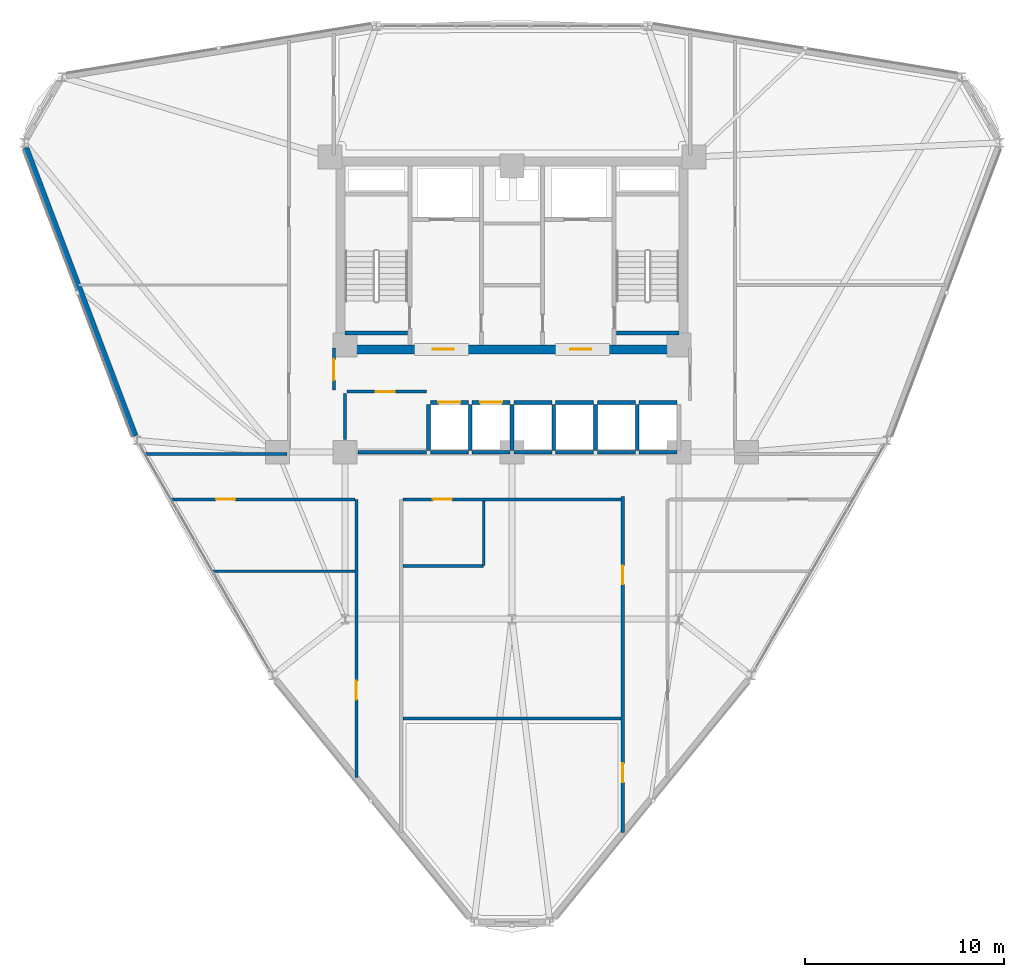
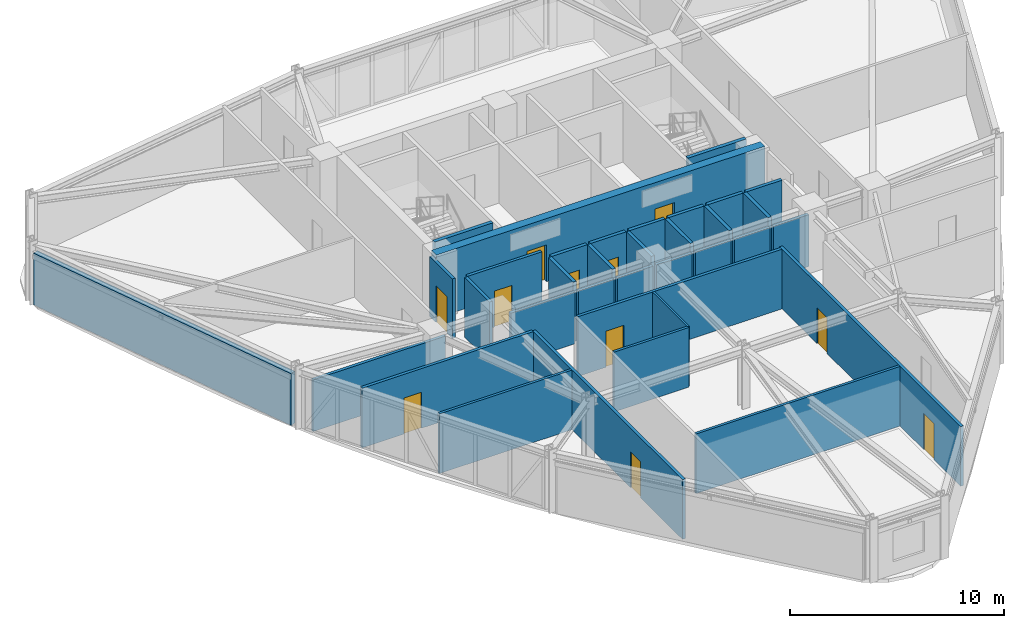
# One storey, part 10 of 17: 35 walls, 11 doors, 11 openings.
"""IFC4 building model written with IfcOpenShell, lengths in metres."""

from ifc_helpers import new_model, si_unit, derived_unit, direction, frame, frame_2d, origin, place, context, subcontext, project, spatial, rectangle, extrude, material, layer, layer_set, type_object, element, fill, save


model = new_model("IFC4")

# Units and contexts
model_context = context("Model", 3, precision=1e-05, world=origin(), true_north=direction((0.0, 1.0)))
body_context = subcontext(model_context, "Body", "Model", "MODEL_VIEW")
ifc_project = project(units=[si_unit("LENGTHUNIT", "METRE"), si_unit("AREAUNIT", "SQUARE_METRE"), si_unit("VOLUMEUNIT", "CUBIC_METRE"), si_unit("PLANEANGLEUNIT", "RADIAN"), si_unit("MASSUNIT", "GRAM", prefix="KILO"), derived_unit("THERMALTRANSMITTANCEUNIT", [(si_unit("POWERUNIT", "WATT"), 1), (si_unit("LENGTHUNIT", "METRE"), -2), (si_unit("THERMODYNAMICTEMPERATUREUNIT", "KELVIN"), -1)])], contexts=[model_context])

# Site, building, storey
site_placement = place(None, origin())
site = spatial("IfcSite", under=ifc_project, at=site_placement, CompositionType="ELEMENT")
building_placement = place(site_placement, origin())
building = spatial("IfcBuilding", under=site, at=building_placement, Name="Korsvarv Bourse and Concert Hall", CompositionType="ELEMENT")
storey_placement = place(building_placement, frame((0.0, 0.0, 124.199951171875)))
storey = spatial("IfcBuildingStorey", under=building, at=storey_placement, Name="L31", CompositionType="ELEMENT", Elevation=124.199951171875)

# Walls
ifc_material_1 = material(Name="Concrete C50/60", Category="concrete")
ifc_layer_1 = layer(ifc_material_1, 0.3798828125)
ifc_layer_set_1 = layer_set([ifc_layer_1], Name="Concrete C50/60")
wall_type_1 = type_object("IfcWallType", Name="WL-CORE-380", PredefinedType="SHEAR", material=ifc_layer_set_1)
for number, where, z_axis, x_axis, name in (
    (1, (27.610107421875, 38.39990234375, 0.0), (0.0, 0.0, 1.0), (1.0, 0.0, 0.0), "L31 stair shaft structural wall W-L31-ST1-S"),
    (2, (41.25, 38.39990234375, 0.0), (0.0, 0.0, 1.0), (1.0, 0.0, 0.0), "L31 stair shaft structural wall W-L31-ST2-S"),
):
    element("IfcWall", number, at=place(storey_placement, frame(where, z_axis=z_axis, x_axis=x_axis)), inside=storey, type_object=wall_type_1, Name=name, PredefinedType="SHEAR", context=body_context, shape_type="SweptSolid", body=[
        extrude(rectangle(XDim=3.139892578125, YDim=0.199951171875, at=frame_2d((1.56982421875, 0.0))), origin(), (0.0, 0.0, 1.0), 3.60009765625),
    ])

# Wall, openings, doors
ifc_material_2 = material(Name="Concrete C55/67", Category="concrete")
ifc_layer_2 = layer(ifc_material_2, 0.449951171875)
ifc_layer_set_2 = layer_set([ifc_layer_2], Name="Concrete C55/67")
wall_type_2 = type_object("IfcWallType", Name="WL-CORE-450", PredefinedType="SHEAR", material=ifc_layer_set_2)
wall_1_placement = place(storey_placement, frame((27.14990234375, 37.574951171875, 0.0), z_axis=(0.0, 0.0, 1.0), x_axis=(1.0, 0.0, 0.0)))
wall_1 = element("IfcWall", 3, at=wall_1_placement, inside=storey, type_object=wall_type_2, Name="L31 South Core Shear Wall", PredefinedType="SHEAR", context=body_context, shape_type="SweptSolid", body=[
    extrude(rectangle(XDim=17.7001953125, YDim=0.449951171875, at=frame_2d((8.85009765625, 0.0))), origin(), (0.0, 0.0, 1.0), 3.60009765625),
])
opening_1_placement = place(wall_1_placement, frame((4.875, 0.0, 0.0)))
opening_1 = element("IfcOpeningElement", 4, at=opening_1_placement, cuts=wall_1, Name="Opening D-01", PredefinedType="OPENING", context=body_context, shape_type="SweptSolid", body=[
    extrude(rectangle(XDim=1.050048828125, YDim=2.10009765625, at=frame_2d((0.52490234375, 1.050048828125))), frame((0.0, 0.23486328125, 0.0), z_axis=(0.0, -1.0, 0.0), x_axis=(1.0, 0.0, 0.0)), (0.0, 0.0, 1.0), 0.469970703125),
])
opening_2_placement = place(wall_1_placement, frame((11.77490234375, 0.0, 0.0)))
opening_2 = element("IfcOpeningElement", 5, at=opening_2_placement, cuts=wall_1, Name="Opening D-01", PredefinedType="OPENING", context=body_context, shape_type="SweptSolid", body=[
    extrude(rectangle(XDim=1.050048828125, YDim=2.10009765625, at=frame_2d((0.52490234375, 1.050048828125))), frame((0.0, 0.23486328125, 0.0), z_axis=(0.0, -1.0, 0.0), x_axis=(1.0, 0.0, 0.0)), (0.0, 0.0, 1.0), 0.469970703125),
])
ifc_material_3 = material(Name="Steel S355 fire door", Category="steel")
door_type_1 = type_object("IfcDoorType", Name="DR-FD60", OperationType="NOTDEFINED", PredefinedType="DOOR", material=ifc_material_3)
door_1_placement = place(opening_1_placement, frame((1.050048828125, 0.0, 0.0), z_axis=(0.0, 0.0, 1.0), x_axis=(-1.0, 0.0, 0.0)))
door_1 = element("IfcDoor", 6, at=door_1_placement, inside=storey, type_object=door_type_1, Name="L31 firefighting lobby fire door DR-L31-FFLW", OperationType="SINGLE_SWING_RIGHT", OverallHeight=2.10009765625, OverallWidth=1.050048828125, PredefinedType="DOOR", context=body_context, shape_type="SweptSolid", body=[
    extrude(rectangle(XDim=1.050048828125, YDim=2.10009765625, at=frame_2d((0.52490234375, 1.050048828125))), frame((0.0, 0.02490234375, 0.0), z_axis=(0.0, -1.0, 0.0), x_axis=(1.0, 0.0, 0.0)), (0.0, 0.0, 1.0), 0.050048828125),
])
fill(opening_1, door_1)
door_2_placement = place(opening_2_placement, frame((1.050048828125, 0.0, 0.0), z_axis=(0.0, 0.0, 1.0), x_axis=(-1.0, 0.0, 0.0)))
door_2 = element("IfcDoor", 7, at=door_2_placement, inside=storey, type_object=door_type_1, Name="L31 firefighting lobby fire door DR-L31-FFLE", OperationType="SINGLE_SWING_LEFT", OverallHeight=2.10009765625, OverallWidth=1.050048828125, PredefinedType="DOOR", context=body_context, shape_type="SweptSolid", body=[
    extrude(rectangle(XDim=1.050048828125, YDim=2.10009765625, at=frame_2d((0.52490234375, 1.050048828125))), frame((0.0, 0.02490234375, 0.0), z_axis=(0.0, -1.0, 0.0), x_axis=(1.0, 0.0, 0.0)), (0.0, 0.0, 1.0), 0.050048828125),
])
fill(opening_2, door_2)

# Walls
ifc_material_4 = material(Name="Precast concrete C45/55 with fluted terracotta pier", Category="concrete")
ifc_layer_3 = layer(ifc_material_4, 0.280029296875)
ifc_layer_set_3 = layer_set([ifc_layer_3], Name="Precast concrete C45/55 with fluted terracotta pier")
wall_type_3 = type_object("IfcWallType", Name="WL-EXT-TC2", PredefinedType="SOLIDWALL", material=ifc_layer_set_3)
wall_2_placement = place(storey_placement, frame((11.54638671875, 47.733642578125, 0.0), z_axis=(0.0, 0.0, 1.0), x_axis=(0.354519532047, -0.935048609109, 0.0)))
element("IfcWall", 8, at=wall_2_placement, inside=storey, type_object=wall_type_3, Name="L31 terracotta exterior wall EW-L31-B06", PredefinedType="SOLIDWALL", context=body_context, shape_type="SweptSolid", body=[
    extrude(rectangle(XDim=15.517333984375, YDim=0.280029296875, at=frame_2d((7.7587890625, 0.0))), origin(), (0.0, 0.0, 1.0), 2.949951171875),
])
ifc_material_5 = material(Name="Double-stud fire-rated acoustic partition", Category="gypsum")
ifc_layer_4 = layer(ifc_material_5, 0.159912109375)
ifc_layer_set_4 = layer_set([ifc_layer_4], Name="Double-stud fire-rated acoustic partition")
wall_type_4 = type_object("IfcWallType", Name="WL-INT-EI60", PredefinedType="PARTITIONING", material=ifc_layer_set_4)
wall_3_placement = place(storey_placement, frame((28.25, 32.39990234375, 0.0), z_axis=(0.0, 0.0, 1.0), x_axis=(1.0, 0.0, 0.0)))
element("IfcWall", 9, at=wall_3_placement, inside=storey, type_object=wall_type_4, Name="L31 interior partition wall W-L31-FRD-S", PredefinedType="PARTITIONING", context=body_context, shape_type="SweptSolid", body=[
    extrude(rectangle(XDim=3.449951171875, YDim=0.159912109375, at=frame_2d((1.72509765625, 0.0))), origin(), (0.0, 0.0, 1.0), 2.949951171875),
])
wall_4_placement = place(storey_placement, frame((27.60009765625, 33.050048828125, 0.0), z_axis=(0.0, 0.0, 1.0), x_axis=(0.0, 1.0, 0.0)))
element("IfcWall", 10, at=wall_4_placement, inside=storey, type_object=wall_type_4, Name="L31 interior partition wall W-L31-FRD-W", PredefinedType="PARTITIONING", context=body_context, shape_type="SweptSolid", body=[
    extrude(rectangle(XDim=2.31005859375, YDim=0.159912109375, at=frame_2d((1.155029296875, 0.0))), origin(), (0.0, 0.0, 1.0), 3.400146484375),
])

# Wall, opening, door
wall_5_placement = place(storey_placement, frame((27.68994140625, 35.449951171875, 0.0), z_axis=(0.0, 0.0, 1.0), x_axis=(1.0, 0.0, 0.0)))
wall_5 = element("IfcWall", 11, at=wall_5_placement, inside=storey, type_object=wall_type_4, Name="L31 interior partition wall W-L31-FRD-N", PredefinedType="PARTITIONING", context=body_context, shape_type="SweptSolid", body=[
    extrude(rectangle(XDim=4.010009765625, YDim=0.159912109375, at=frame_2d((2.0048828125, 0.0))), origin(), (0.0, 0.0, 1.0), 3.400146484375),
])
opening_3_placement = place(wall_5_placement, frame((1.449951171875, 0.0, 0.0)))
opening_3 = element("IfcOpeningElement", 12, at=opening_3_placement, cuts=wall_5, Name="Opening D-03", PredefinedType="OPENING", context=body_context, shape_type="SweptSolid", body=[
    extrude(rectangle(XDim=0.949951171875, YDim=2.050048828125, at=frame_2d((0.47509765625, 1.02490234375))), frame((0.0, 0.08984375, 0.0), z_axis=(0.0, -1.0, 0.0), x_axis=(1.0, 0.0, 0.0)), (0.0, 0.0, 1.0), 0.179931640625),
])
ifc_material_6 = material(Name="Nordic oak acoustic office door", Category="wood")
door_type_2 = type_object("IfcDoorType", Name="DR-INT-1", OperationType="NOTDEFINED", PredefinedType="DOOR", material=ifc_material_6)
door_3_placement = place(opening_3_placement, origin())
door_3 = element("IfcDoor", 13, at=door_3_placement, inside=storey, type_object=door_type_2, Name="L31 interior door DR-L31-FRDN1", OperationType="SINGLE_SWING_LEFT", OverallHeight=2.050048828125, OverallWidth=0.949951171875, PredefinedType="DOOR", context=body_context, shape_type="SweptSolid", body=[
    extrude(rectangle(XDim=0.949951171875, YDim=2.050048828125, at=frame_2d((0.47509765625, 1.02490234375))), frame((0.0, 0.02490234375, 0.0), z_axis=(0.0, -1.0, 0.0), x_axis=(1.0, 0.0, 0.0)), (0.0, 0.0, 1.0), 0.050048828125),
])
fill(opening_3, door_3)

wall_6_placement = place(storey_placement, frame((27.0400390625, 35.5400390625, 0.0), z_axis=(0.0, 0.0, 1.0), x_axis=(0.0, 1.0, 0.0)))
wall_6 = element("IfcWall", 14, at=wall_6_placement, inside=storey, type_object=wall_type_4, Name="L31 interior partition wall W-L31-LOB-WL", PredefinedType="PARTITIONING", context=body_context, shape_type="SweptSolid", body=[
    extrude(rectangle(XDim=2.10986328125, YDim=0.159912109375, at=frame_2d((1.054931640625, 0.0))), origin(), (0.0, 0.0, 1.0), 3.400146484375),
])
opening_4_placement = place(wall_6_placement, frame((0.47998046875, 0.0, 0.0)))
opening_4 = element("IfcOpeningElement", 15, at=opening_4_placement, cuts=wall_6, Name="Opening D-01", PredefinedType="OPENING", context=body_context, shape_type="SweptSolid", body=[
    extrude(rectangle(XDim=1.050048828125, YDim=2.10009765625, at=frame_2d((0.52490234375, 1.050048828125))), frame((0.0, 0.08984375, 0.0), z_axis=(0.0, -1.0, 0.0), x_axis=(1.0, 0.0, 0.0)), (0.0, 0.0, 1.0), 0.179931640625),
])
door_4_placement = place(opening_4_placement, frame((1.050048828125, 0.0, 0.0), z_axis=(0.0, 0.0, 1.0), x_axis=(-1.0, 0.0, 0.0)))
door_4 = element("IfcDoor", 16, at=door_4_placement, inside=storey, type_object=door_type_1, Name="L31 interior door DR-L31-LOBW", OperationType="SINGLE_SWING_RIGHT", OverallHeight=2.10009765625, OverallWidth=1.050048828125, PredefinedType="DOOR", context=body_context, shape_type="SweptSolid", body=[
    extrude(rectangle(XDim=1.050048828125, YDim=2.10009765625, at=frame_2d((0.52490234375, 1.050048828125))), frame((0.0, 0.02490234375, 0.0), z_axis=(0.0, -1.0, 0.0), x_axis=(1.0, 0.0, 0.0)), (0.0, 0.0, 1.0), 0.050048828125),
])
fill(opening_4, door_4)

# Wall, openings, doors
wall_7_placement = place(storey_placement, frame((41.574951171875, 13.273681640625, 0.0), z_axis=(0.0, 0.0, 1.0), x_axis=(0.0, 1.0, 0.0)))
wall_7 = element("IfcWall", 17, at=wall_7_placement, inside=storey, type_object=wall_type_4, Name="L31 interior partition wall W-L31-TCOR-03", PredefinedType="PARTITIONING", context=body_context, shape_type="SweptSolid", body=[
    extrude(rectangle(XDim=16.90625, YDim=0.159912109375, at=frame_2d((8.453125, 0.0))), origin(), (0.0, 0.0, 1.0), 3.400146484375),
])
opening_5_placement = place(wall_7_placement, frame((2.515625, 0.0, 0.0)))
opening_5 = element("IfcOpeningElement", 18, at=opening_5_placement, cuts=wall_7, Name="Opening D-02", PredefinedType="OPENING", context=body_context, shape_type="SweptSolid", body=[
    extrude(rectangle(XDim=0.949951171875, YDim=2.050048828125, at=frame_2d((0.47509765625, 1.02490234375))), frame((0.0, 0.08984375, 0.0), z_axis=(0.0, -1.0, 0.0), x_axis=(1.0, 0.0, 0.0)), (0.0, 0.0, 1.0), 0.179931640625),
])
opening_6_placement = place(wall_7_placement, frame((12.473388671875, 0.0, 0.0)))
opening_6 = element("IfcOpeningElement", 19, at=opening_6_placement, cuts=wall_7, Name="Opening D-02", PredefinedType="OPENING", context=body_context, shape_type="SweptSolid", body=[
    extrude(rectangle(XDim=0.949951171875, YDim=2.050048828125, at=frame_2d((0.47509765625, 1.02490234375))), frame((0.0, 0.08984375, 0.0), z_axis=(0.0, -1.0, 0.0), x_axis=(1.0, 0.0, 0.0)), (0.0, 0.0, 1.0), 0.179931640625),
])
ifc_material_7 = material(Name="Timber and steel acoustic fire door", Category="wood")
door_type_3 = type_object("IfcDoorType", Name="DR-FD30", OperationType="NOTDEFINED", PredefinedType="DOOR", material=ifc_material_7)
door_5_placement = place(opening_5_placement, origin())
door_5 = element("IfcDoor", 20, at=door_5_placement, inside=storey, type_object=door_type_3, Name="L31 interior door DR-L31-TCOR-ES36", OperationType="SINGLE_SWING_RIGHT", OverallHeight=2.050048828125, OverallWidth=0.949951171875, PredefinedType="DOOR", context=body_context, shape_type="SweptSolid", body=[
    extrude(rectangle(XDim=0.949951171875, YDim=2.050048828125, at=frame_2d((0.47509765625, 1.02490234375))), frame((0.0, 0.02490234375, 0.0), z_axis=(0.0, -1.0, 0.0), x_axis=(1.0, 0.0, 0.0)), (0.0, 0.0, 1.0), 0.050048828125),
])
fill(opening_5, door_5)
door_6_placement = place(opening_6_placement, origin())
door_6 = element("IfcDoor", 21, at=door_6_placement, inside=storey, type_object=door_type_3, Name="L31 interior door DR-L31-TCOR-ES17", OperationType="SINGLE_SWING_LEFT", OverallHeight=2.050048828125, OverallWidth=0.949951171875, PredefinedType="DOOR", context=body_context, shape_type="SweptSolid", body=[
    extrude(rectangle(XDim=0.949951171875, YDim=2.050048828125, at=frame_2d((0.47509765625, 1.02490234375))), frame((0.0, 0.02490234375, 0.0), z_axis=(0.0, -1.0, 0.0), x_axis=(1.0, 0.0, 0.0)), (0.0, 0.0, 1.0), 0.050048828125),
])
fill(opening_6, door_6)

# Wall, opening, door
wall_8_placement = place(storey_placement, frame((28.175048828125, 16.02880859375, 0.0), z_axis=(0.0, 0.0, 1.0), x_axis=(0.0, 1.0, 0.0)))
wall_8 = element("IfcWall", 22, at=wall_8_placement, inside=storey, type_object=wall_type_4, Name="L31 interior partition wall W-L31-TCOR-05", PredefinedType="PARTITIONING", context=body_context, shape_type="SweptSolid", body=[
    extrude(rectangle(XDim=14.001220703125, YDim=0.159912109375, at=frame_2d((7.00048828125, 0.0))), origin(), (0.0, 0.0, 1.0), 3.400146484375),
])
opening_7_placement = place(wall_8_placement, frame((3.918701171875, 0.0, 0.0)))
opening_7 = element("IfcOpeningElement", 23, at=opening_7_placement, cuts=wall_8, Name="Opening D-02", PredefinedType="OPENING", context=body_context, shape_type="SweptSolid", body=[
    extrude(rectangle(XDim=0.949951171875, YDim=2.050048828125, at=frame_2d((0.47509765625, 1.02490234375))), frame((0.0, 0.08984375, 0.0), z_axis=(0.0, -1.0, 0.0), x_axis=(1.0, 0.0, 0.0)), (0.0, 0.0, 1.0), 0.179931640625),
])
door_7_placement = place(opening_7_placement, origin())
door_7 = element("IfcDoor", 24, at=door_7_placement, inside=storey, type_object=door_type_3, Name="L31 interior door DR-L31-TCOR-ES48", OperationType="SINGLE_SWING_RIGHT", OverallHeight=2.050048828125, OverallWidth=0.949951171875, PredefinedType="DOOR", context=body_context, shape_type="SweptSolid", body=[
    extrude(rectangle(XDim=0.949951171875, YDim=2.050048828125, at=frame_2d((0.47509765625, 1.02490234375))), frame((0.0, 0.02490234375, 0.0), z_axis=(0.0, -1.0, 0.0), x_axis=(1.0, 0.0, 0.0)), (0.0, 0.0, 1.0), 0.050048828125),
])
fill(opening_7, door_7)

wall_9_placement = place(storey_placement, frame((30.507080078125, 30.02490234375, 0.0), z_axis=(0.0, 0.0, 1.0), x_axis=(1.0, 0.0, 0.0)))
wall_9 = element("IfcWall", 25, at=wall_9_placement, inside=storey, type_object=wall_type_4, Name="L31 interior partition wall W-L31-TCOR-07", PredefinedType="PARTITIONING", context=body_context, shape_type="SweptSolid", body=[
    extrude(rectangle(XDim=10.98583984375, YDim=0.159912109375, at=frame_2d((5.492919921875, 0.0))), origin(), (0.0, 0.0, 1.0), 3.400146484375),
])
opening_8_placement = place(wall_9_placement, frame((1.51220703125, 0.0, 0.0)))
opening_8 = element("IfcOpeningElement", 26, at=opening_8_placement, cuts=wall_9, Name="Opening D-02", PredefinedType="OPENING", context=body_context, shape_type="SweptSolid", body=[
    extrude(rectangle(XDim=0.949951171875, YDim=2.050048828125, at=frame_2d((0.47509765625, 1.02490234375))), frame((0.0, 0.08984375, 0.0), z_axis=(0.0, -1.0, 0.0), x_axis=(1.0, 0.0, 0.0)), (0.0, 0.0, 1.0), 0.179931640625),
])
door_8_placement = place(opening_8_placement, origin())
door_8 = element("IfcDoor", 27, at=door_8_placement, inside=storey, type_object=door_type_3, Name="L31 interior door DR-L31-TCOR-RWC", OperationType="SINGLE_SWING_RIGHT", OverallHeight=2.050048828125, OverallWidth=0.949951171875, PredefinedType="DOOR", context=body_context, shape_type="SweptSolid", body=[
    extrude(rectangle(XDim=0.949951171875, YDim=2.050048828125, at=frame_2d((0.47509765625, 1.02490234375))), frame((0.0, 0.02490234375, 0.0), z_axis=(0.0, -1.0, 0.0), x_axis=(1.0, 0.0, 0.0)), (0.0, 0.0, 1.0), 0.050048828125),
])
fill(opening_8, door_8)

wall_10_placement = place(storey_placement, frame((18.868408203125, 30.02490234375, 0.0), z_axis=(0.0, 0.0, 1.0), x_axis=(1.0, 0.0, 0.0)))
wall_10 = element("IfcWall", 28, at=wall_10_placement, inside=storey, type_object=wall_type_4, Name="L31 interior partition wall W-L31-TCOR-08", PredefinedType="PARTITIONING", context=body_context, shape_type="SweptSolid", body=[
    extrude(rectangle(XDim=9.224609375, YDim=0.159912109375, at=frame_2d((4.6123046875, 0.0))), origin(), (0.0, 0.0, 1.0), 3.400146484375),
])
opening_9_placement = place(wall_10_placement, frame((2.249755859375, 0.0, 0.0)))
opening_9 = element("IfcOpeningElement", 29, at=opening_9_placement, cuts=wall_10, Name="Opening D-02", PredefinedType="OPENING", context=body_context, shape_type="SweptSolid", body=[
    extrude(rectangle(XDim=0.949951171875, YDim=2.050048828125, at=frame_2d((0.47509765625, 1.02490234375))), frame((0.0, 0.08984375, 0.0), z_axis=(0.0, -1.0, 0.0), x_axis=(1.0, 0.0, 0.0)), (0.0, 0.0, 1.0), 0.179931640625),
])
door_9_placement = place(opening_9_placement, origin())
door_9 = element("IfcDoor", 30, at=door_9_placement, inside=storey, type_object=door_type_3, Name="L31 interior door DR-L31-TCOR-RM99", OperationType="SINGLE_SWING_LEFT", OverallHeight=2.050048828125, OverallWidth=0.949951171875, PredefinedType="DOOR", context=body_context, shape_type="SweptSolid", body=[
    extrude(rectangle(XDim=0.949951171875, YDim=2.050048828125, at=frame_2d((0.47509765625, 1.02490234375))), frame((0.0, 0.02490234375, 0.0), z_axis=(0.0, -1.0, 0.0), x_axis=(1.0, 0.0, 0.0)), (0.0, 0.0, 1.0), 0.050048828125),
])
fill(opening_9, door_9)

# Wall
wall_11_placement = place(storey_placement, frame((17.54638671875, 32.31494140625, 0.0), z_axis=(0.0, 0.0, 1.0), x_axis=(1.0, 0.0, 0.0)))
element("IfcWall", 31, at=wall_11_placement, inside=storey, type_object=wall_type_4, Name="L31 interior partition wall W-L31-TCOR-10", PredefinedType="PARTITIONING", context=body_context, shape_type="SweptSolid", body=[
    extrude(rectangle(XDim=7.146728515625, YDim=0.159912109375, at=frame_2d((3.5732421875, 0.0))), origin(), (0.0, 0.0, 1.0), 2.949951171875),
])

# Wall, opening, door
ifc_material_8 = material(Name="Gypsum-clad autoclaved concrete shaft wall C30/37", Category="concrete")
ifc_layer_5 = layer(ifc_material_8, 0.179931640625)
ifc_layer_set_5 = layer_set([ifc_layer_5], Name="Gypsum-clad autoclaved concrete shaft wall C30/37")
wall_type_5 = type_object("IfcWallType", Name="WL-INT-EI90", PredefinedType="PARTITIONING", material=ifc_layer_set_5)
wall_12_placement = place(storey_placement, frame((31.889892578125, 34.89990234375, 0.0), z_axis=(0.0, 0.0, 1.0), x_axis=(1.0, 0.0, 0.0)))
wall_12 = element("IfcWall", 32, at=wall_12_placement, inside=storey, type_object=wall_type_5, Name="L31 interior partition wall W-L31-SHFN-PM1", PredefinedType="PARTITIONING", context=body_context, shape_type="SweptSolid", body=[
    extrude(rectangle(XDim=1.920166015625, YDim=0.179931640625, at=frame_2d((0.9599609375, 0.0))), origin(), (0.0, 0.0, 1.0), 3.400146484375),
])
opening_10_placement = place(wall_12_placement, frame((0.409912109375, 0.0, 0.0)))
opening_10 = element("IfcOpeningElement", 33, at=opening_10_placement, cuts=wall_12, Name="Opening LD-2", PredefinedType="OPENING", context=body_context, shape_type="SweptSolid", body=[
    extrude(rectangle(XDim=1.10009765625, YDim=2.10009765625, at=frame_2d((0.550048828125, 1.050048828125))), frame((0.0, 0.10009765625, 0.0), z_axis=(0.0, -1.0, 0.0), x_axis=(1.0, 0.0, 0.0)), (0.0, 0.0, 1.0), 0.199951171875),
])
ifc_material_9 = material(Name="Brushed stainless Steel S355 lift landing door", Category="steel")
door_type_4 = type_object("IfcDoorType", Name="DR-LIFT-P", OperationType="DOUBLE_DOOR_SLIDING", PredefinedType="DOOR", material=ifc_material_9)
door_10_placement = place(opening_10_placement, origin())
door_10 = element("IfcDoor", 34, at=door_10_placement, inside=storey, type_object=door_type_4, Name="L31 lift sliding landing door LD-L31-PM1", OperationType="DOUBLE_DOOR_SLIDING", OverallHeight=2.10009765625, OverallWidth=1.10009765625, PredefinedType="DOOR", context=body_context, shape_type="SweptSolid", body=[
    extrude(rectangle(XDim=1.10009765625, YDim=2.10009765625, at=frame_2d((0.550048828125, 1.050048828125))), frame((0.0, 0.02490234375, 0.0), z_axis=(0.0, -1.0, 0.0), x_axis=(1.0, 0.0, 0.0)), (0.0, 0.0, 1.0), 0.050048828125),
])
fill(opening_10, door_10)

# Walls
wall_13_placement = place(storey_placement, frame((31.889892578125, 32.39990234375, 0.0), z_axis=(0.0, 0.0, 1.0), x_axis=(1.0, 0.0, 0.0)))
element("IfcWall", 35, at=wall_13_placement, inside=storey, type_object=wall_type_5, Name="L31 interior partition wall W-L31-SHFS-PM1", PredefinedType="PARTITIONING", context=body_context, shape_type="SweptSolid", body=[
    extrude(rectangle(XDim=1.920166015625, YDim=0.179931640625, at=frame_2d((0.9599609375, 0.0))), origin(), (0.0, 0.0, 1.0), 2.949951171875),
])
wall_14_placement = place(storey_placement, frame((31.800048828125, 32.489990234375, 0.0), z_axis=(0.0, 0.0, 1.0), x_axis=(0.0, 1.0, 0.0)))
element("IfcWall", 36, at=wall_14_placement, inside=storey, type_object=wall_type_5, Name="L31 interior partition wall W-L31-SHFW-PM1", PredefinedType="PARTITIONING", context=body_context, shape_type="SweptSolid", body=[
    extrude(rectangle(XDim=2.320068359375, YDim=0.179931640625, at=frame_2d((1.16015625, 0.0))), origin(), (0.0, 0.0, 1.0), 3.400146484375),
])

# Wall, opening, door
wall_15_placement = place(storey_placement, frame((33.989990234375, 34.89990234375, 0.0), z_axis=(0.0, 0.0, 1.0), x_axis=(1.0, 0.0, 0.0)))
wall_15 = element("IfcWall", 37, at=wall_15_placement, inside=storey, type_object=wall_type_5, Name="L31 interior partition wall W-L31-SHFN-PM2", PredefinedType="PARTITIONING", context=body_context, shape_type="SweptSolid", body=[
    extrude(rectangle(XDim=1.919921875, YDim=0.179931640625, at=frame_2d((0.9599609375, 0.0))), origin(), (0.0, 0.0, 1.0), 3.400146484375),
])
opening_11_placement = place(wall_15_placement, frame((0.409912109375, 0.0, 0.0)))
opening_11 = element("IfcOpeningElement", 38, at=opening_11_placement, cuts=wall_15, Name="Opening LD-2", PredefinedType="OPENING", context=body_context, shape_type="SweptSolid", body=[
    extrude(rectangle(XDim=1.10009765625, YDim=2.10009765625, at=frame_2d((0.550048828125, 1.050048828125))), frame((0.0, 0.10009765625, 0.0), z_axis=(0.0, -1.0, 0.0), x_axis=(1.0, 0.0, 0.0)), (0.0, 0.0, 1.0), 0.199951171875),
])
door_11_placement = place(opening_11_placement, origin())
door_11 = element("IfcDoor", 39, at=door_11_placement, inside=storey, type_object=door_type_4, Name="L31 lift sliding landing door LD-L31-PM2", OperationType="DOUBLE_DOOR_SLIDING", OverallHeight=2.10009765625, OverallWidth=1.10009765625, PredefinedType="DOOR", context=body_context, shape_type="SweptSolid", body=[
    extrude(rectangle(XDim=1.10009765625, YDim=2.10009765625, at=frame_2d((0.550048828125, 1.050048828125))), frame((0.0, 0.02490234375, 0.0), z_axis=(0.0, -1.0, 0.0), x_axis=(1.0, 0.0, 0.0)), (0.0, 0.0, 1.0), 0.050048828125),
])
fill(opening_11, door_11)

# Walls
wall_16_placement = place(storey_placement, frame((33.989990234375, 32.39990234375, 0.0), z_axis=(0.0, 0.0, 1.0), x_axis=(1.0, 0.0, 0.0)))
element("IfcWall", 40, at=wall_16_placement, inside=storey, type_object=wall_type_5, Name="L31 interior partition wall W-L31-SHFS-PM2", PredefinedType="PARTITIONING", context=body_context, shape_type="SweptSolid", body=[
    extrude(rectangle(XDim=1.919921875, YDim=0.179931640625, at=frame_2d((0.9599609375, 0.0))), origin(), (0.0, 0.0, 1.0), 2.949951171875),
])
wall_17_placement = place(storey_placement, frame((33.89990234375, 32.489990234375, 0.0), z_axis=(0.0, 0.0, 1.0), x_axis=(0.0, 1.0, 0.0)))
element("IfcWall", 41, at=wall_17_placement, inside=storey, type_object=wall_type_5, Name="L31 interior partition wall W-L31-SHFW-PM2", PredefinedType="PARTITIONING", context=body_context, shape_type="SweptSolid", body=[
    extrude(rectangle(XDim=2.320068359375, YDim=0.179931640625, at=frame_2d((1.16015625, 0.0))), origin(), (0.0, 0.0, 1.0), 3.400146484375),
])
wall_18_placement = place(storey_placement, frame((36.090087890625, 34.89990234375, 0.0), z_axis=(0.0, 0.0, 1.0), x_axis=(1.0, 0.0, 0.0)))
element("IfcWall", 42, at=wall_18_placement, inside=storey, type_object=wall_type_5, Name="L31 interior partition wall W-L31-SHFN-PH1", PredefinedType="PARTITIONING", context=body_context, shape_type="SweptSolid", body=[
    extrude(rectangle(XDim=1.919921875, YDim=0.179931640625, at=frame_2d((0.9599609375, 0.0))), origin(), (0.0, 0.0, 1.0), 3.400146484375),
])
wall_19_placement = place(storey_placement, frame((36.090087890625, 32.39990234375, 0.0), z_axis=(0.0, 0.0, 1.0), x_axis=(1.0, 0.0, 0.0)))
element("IfcWall", 43, at=wall_19_placement, inside=storey, type_object=wall_type_5, Name="L31 interior partition wall W-L31-SHFS-PH1", PredefinedType="PARTITIONING", context=body_context, shape_type="SweptSolid", body=[
    extrude(rectangle(XDim=1.919921875, YDim=0.179931640625, at=frame_2d((0.9599609375, 0.0))), origin(), (0.0, 0.0, 1.0), 2.949951171875),
])
wall_20_placement = place(storey_placement, frame((36.0, 32.489990234375, 0.0), z_axis=(0.0, 0.0, 1.0), x_axis=(0.0, 1.0, 0.0)))
element("IfcWall", 44, at=wall_20_placement, inside=storey, type_object=wall_type_5, Name="L31 interior partition wall W-L31-SHFW-PH1", PredefinedType="PARTITIONING", context=body_context, shape_type="SweptSolid", body=[
    extrude(rectangle(XDim=2.320068359375, YDim=0.179931640625, at=frame_2d((1.16015625, 0.0))), origin(), (0.0, 0.0, 1.0), 3.400146484375),
])
wall_21_placement = place(storey_placement, frame((38.18994140625, 34.89990234375, 0.0), z_axis=(0.0, 0.0, 1.0), x_axis=(1.0, 0.0, 0.0)))
element("IfcWall", 45, at=wall_21_placement, inside=storey, type_object=wall_type_5, Name="L31 interior partition wall W-L31-SHFN-PH2", PredefinedType="PARTITIONING", context=body_context, shape_type="SweptSolid", body=[
    extrude(rectangle(XDim=1.920166015625, YDim=0.179931640625, at=frame_2d((0.9599609375, 0.0))), origin(), (0.0, 0.0, 1.0), 3.400146484375),
])
wall_22_placement = place(storey_placement, frame((38.18994140625, 32.39990234375, 0.0), z_axis=(0.0, 0.0, 1.0), x_axis=(1.0, 0.0, 0.0)))
element("IfcWall", 46, at=wall_22_placement, inside=storey, type_object=wall_type_5, Name="L31 interior partition wall W-L31-SHFS-PH2", PredefinedType="PARTITIONING", context=body_context, shape_type="SweptSolid", body=[
    extrude(rectangle(XDim=1.920166015625, YDim=0.179931640625, at=frame_2d((0.9599609375, 0.0))), origin(), (0.0, 0.0, 1.0), 2.949951171875),
])
wall_23_placement = place(storey_placement, frame((38.10009765625, 32.489990234375, 0.0), z_axis=(0.0, 0.0, 1.0), x_axis=(0.0, 1.0, 0.0)))
element("IfcWall", 47, at=wall_23_placement, inside=storey, type_object=wall_type_5, Name="L31 interior partition wall W-L31-SHFW-PH2", PredefinedType="PARTITIONING", context=body_context, shape_type="SweptSolid", body=[
    extrude(rectangle(XDim=2.320068359375, YDim=0.179931640625, at=frame_2d((1.16015625, 0.0))), origin(), (0.0, 0.0, 1.0), 3.400146484375),
])
wall_24_placement = place(storey_placement, frame((40.2900390625, 34.89990234375, 0.0), z_axis=(0.0, 0.0, 1.0), x_axis=(1.0, 0.0, 0.0)))
element("IfcWall", 48, at=wall_24_placement, inside=storey, type_object=wall_type_5, Name="L31 interior partition wall W-L31-SHFN-PO1", PredefinedType="PARTITIONING", context=body_context, shape_type="SweptSolid", body=[
    extrude(rectangle(XDim=1.919921875, YDim=0.179931640625, at=frame_2d((0.9599609375, 0.0))), origin(), (0.0, 0.0, 1.0), 3.400146484375),
])
wall_25_placement = place(storey_placement, frame((40.2900390625, 32.39990234375, 0.0), z_axis=(0.0, 0.0, 1.0), x_axis=(1.0, 0.0, 0.0)))
element("IfcWall", 49, at=wall_25_placement, inside=storey, type_object=wall_type_5, Name="L31 interior partition wall W-L31-SHFS-PO1", PredefinedType="PARTITIONING", context=body_context, shape_type="SweptSolid", body=[
    extrude(rectangle(XDim=1.919921875, YDim=0.179931640625, at=frame_2d((0.9599609375, 0.0))), origin(), (0.0, 0.0, 1.0), 2.949951171875),
])
wall_26_placement = place(storey_placement, frame((40.199951171875, 32.489990234375, 0.0), z_axis=(0.0, 0.0, 1.0), x_axis=(0.0, 1.0, 0.0)))
element("IfcWall", 50, at=wall_26_placement, inside=storey, type_object=wall_type_5, Name="L31 interior partition wall W-L31-SHFW-PO1", PredefinedType="PARTITIONING", context=body_context, shape_type="SweptSolid", body=[
    extrude(rectangle(XDim=2.320068359375, YDim=0.179931640625, at=frame_2d((1.16015625, 0.0))), origin(), (0.0, 0.0, 1.0), 3.400146484375),
])
wall_27_placement = place(storey_placement, frame((42.389892578125, 34.89990234375, 0.0), z_axis=(0.0, 0.0, 1.0), x_axis=(1.0, 0.0, 0.0)))
element("IfcWall", 51, at=wall_27_placement, inside=storey, type_object=wall_type_5, Name="L31 interior partition wall W-L31-SHFN-PO2", PredefinedType="PARTITIONING", context=body_context, shape_type="SweptSolid", body=[
    extrude(rectangle(XDim=1.920166015625, YDim=0.179931640625, at=frame_2d((0.9599609375, 0.0))), origin(), (0.0, 0.0, 1.0), 3.400146484375),
])
wall_28_placement = place(storey_placement, frame((42.389892578125, 32.39990234375, 0.0), z_axis=(0.0, 0.0, 1.0), x_axis=(1.0, 0.0, 0.0)))
element("IfcWall", 52, at=wall_28_placement, inside=storey, type_object=wall_type_5, Name="L31 interior partition wall W-L31-SHFS-PO2", PredefinedType="PARTITIONING", context=body_context, shape_type="SweptSolid", body=[
    extrude(rectangle(XDim=1.920166015625, YDim=0.179931640625, at=frame_2d((0.9599609375, 0.0))), origin(), (0.0, 0.0, 1.0), 2.949951171875),
])
wall_29_placement = place(storey_placement, frame((42.300048828125, 32.489990234375, 0.0), z_axis=(0.0, 0.0, 1.0), x_axis=(0.0, 1.0, 0.0)))
element("IfcWall", 53, at=wall_29_placement, inside=storey, type_object=wall_type_5, Name="L31 interior partition wall W-L31-SHFW-PO2", PredefinedType="PARTITIONING", context=body_context, shape_type="SweptSolid", body=[
    extrude(rectangle(XDim=2.320068359375, YDim=0.179931640625, at=frame_2d((1.16015625, 0.0))), origin(), (0.0, 0.0, 1.0), 3.400146484375),
])
ifc_material_10 = material(Name="Demountable acoustic glass and aluminium dealing partition", Category="aluminium")
ifc_layer_6 = layer(ifc_material_10, 0.110107421875)
ifc_layer_set_6 = layer_set([ifc_layer_6], Name="Demountable acoustic glass and aluminium dealing partition")
wall_type_6 = type_object("IfcWallType", Name="WL-INT-MOV", PredefinedType="MOVABLE", material=ifc_layer_set_6)
wall_30_placement = place(storey_placement, frame((34.574951171875, 26.68994140625, 0.0), z_axis=(0.0, 0.0, 1.0), x_axis=(0.0, 1.0, 0.0)))
element("IfcWall", 54, at=wall_30_placement, inside=storey, type_object=wall_type_6, Name="L31 interior partition wall W-L31-TCOR-20", PredefinedType="MOVABLE", context=body_context, shape_type="SweptSolid", body=[
    extrude(rectangle(XDim=3.253173828125, YDim=0.110107421875, at=frame_2d((1.62646484375, 0.0))), origin(), (0.0, 0.0, 1.0), 3.400146484375),
])
ifc_material_11 = material(Name="Insulated steel-stud office acoustic partition", Category="gypsum")
ifc_layer_7 = layer(ifc_material_11, 0.139892578125)
ifc_layer_set_7 = layer_set([ifc_layer_7], Name="Insulated steel-stud office acoustic partition")
wall_type_7 = type_object("IfcWallType", Name="WL-INT-P1", PredefinedType="PARTITIONING", material=ifc_layer_set_7)
wall_31_placement = place(storey_placement, frame((30.507080078125, 19.0048828125, 0.0), z_axis=(0.0, 0.0, 1.0), x_axis=(1.0, 0.0, 0.0)))
element("IfcWall", 55, at=wall_31_placement, inside=storey, type_object=wall_type_7, Name="L31 interior partition wall W-L31-TCOR-14", PredefinedType="PARTITIONING", context=body_context, shape_type="SweptSolid", body=[
    extrude(rectangle(XDim=10.98583984375, YDim=0.139892578125, at=frame_2d((5.492919921875, 0.0))), origin(), (0.0, 0.0, 1.0), 3.400146484375),
])
wall_32_placement = place(storey_placement, frame((20.95849609375, 26.405029296875, 0.0), z_axis=(0.0, 0.0, 1.0), x_axis=(1.0, 0.0, 0.0)))
element("IfcWall", 56, at=wall_32_placement, inside=storey, type_object=wall_type_7, Name="L31 interior partition wall W-L31-TCOR-17", PredefinedType="PARTITIONING", context=body_context, shape_type="SweptSolid", body=[
    extrude(rectangle(XDim=7.134521484375, YDim=0.139892578125, at=frame_2d((3.5673828125, 0.0))), origin(), (0.0, 0.0, 1.0), 3.400146484375),
])
wall_33_placement = place(storey_placement, frame((30.507080078125, 26.675048828125, 0.0), z_axis=(0.0, 0.0, 1.0), x_axis=(1.0, 0.0, 0.0)))
element("IfcWall", 57, at=wall_33_placement, inside=storey, type_object=wall_type_7, Name="L31 interior partition wall W-L31-TCOR-19", PredefinedType="PARTITIONING", context=body_context, shape_type="SweptSolid", body=[
    extrude(rectangle(XDim=4.052978515625, YDim=0.139892578125, at=frame_2d((2.0263671875, 0.0))), origin(), (0.0, 0.0, 1.0), 3.400146484375),
])

save(model, "model.ifc")
